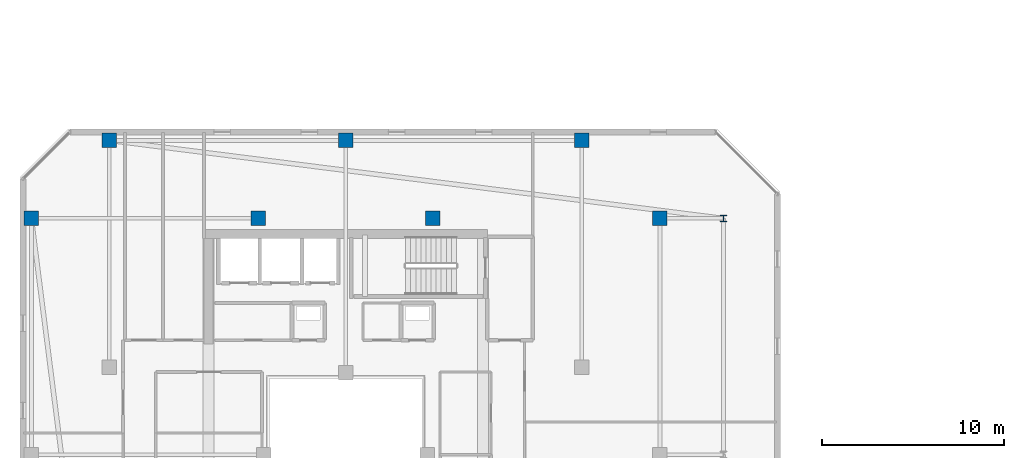
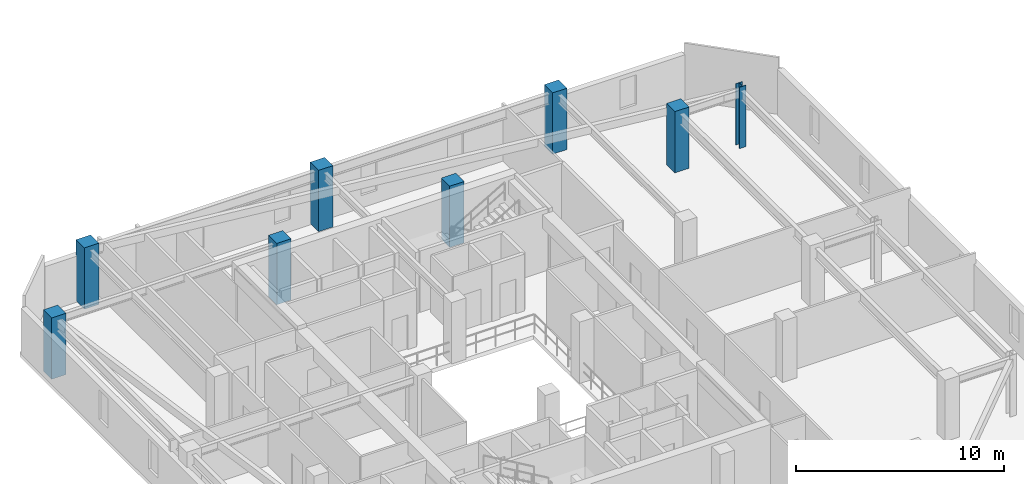
# One storey, part 3 of 35: 8 columns.
"""IFC4 building model written with IfcOpenShell, lengths in metres."""

from ifc_helpers import new_model, si_unit, direction, frame, origin, origin_2d, place, context, subcontext, project, spatial, rectangle, i_section, extrude, material, material_profile, profile_set, type_object, element, save


model = new_model("IFC4")

# Units and contexts
model_context = context("Model", 3, precision=1e-05, world=origin(), true_north=direction((0.0, 1.0)))
body_context = subcontext(model_context, "Body", "Model", "MODEL_VIEW")
ifc_project = project(units=[si_unit("LENGTHUNIT", "METRE"), si_unit("AREAUNIT", "SQUARE_METRE"), si_unit("VOLUMEUNIT", "CUBIC_METRE"), si_unit("PLANEANGLEUNIT", "RADIAN"), si_unit("MASSUNIT", "GRAM", prefix="KILO")], contexts=[model_context])

# Site, building, storey
site_placement = place(None, origin())
site = spatial("IfcSite", under=ifc_project, at=site_placement, CompositionType="ELEMENT")
building_placement = place(site_placement, origin())
building = spatial("IfcBuilding", under=site, at=building_placement, Name="Thornwick Lancets Civic Towers", CompositionType="ELEMENT")
storey_placement = place(building_placement, frame((0.0, 0.0, 265.5)))
storey = spatial("IfcBuildingStorey", under=building, at=storey_placement, Name="L71", CompositionType="ELEMENT", Elevation=265.5)

# Columns
ifc_material_1 = material(Name="Concrete C50/60", Category="concrete")
ifc_material_profile_1 = material_profile(ifc_material_1, rectangle(XDim=0.800048828125, YDim=0.800048828125, at=origin_2d()), Name="RC 800x800")
ifc_profile_set_1 = profile_set([ifc_material_profile_1], Name="Concrete C50/60")
column_type_1 = type_object("IfcColumnType", Name="COL_RC_800", PredefinedType="COLUMN", material=ifc_profile_set_1)
for number, where, z_axis, x_axis, name in (
    (1, (42.800048828125, 40.0, 0.0), (0.0, 0.0, 1.0), (1.0, 0.0, 0.0), "L71 Spine Mega-Column A06"),
    (2, (12.5, 44.300048828125, 0.0), (0.0, 0.0, 1.0), (1.0, 0.0, 0.0), "L71 Spine Mega-Column A07"),
    (3, (25.5, 44.300048828125, 0.0), (0.0, 0.0, 1.0), (1.0, 0.0, 0.0), "L71 Spine Mega-Column A08"),
    (4, (38.5, 44.300048828125, 0.0), (0.0, 0.0, 1.0), (1.0, 0.0, 0.0), "L71 Spine Mega-Column A09"),
    (5, (8.199951171875, 40.0, 0.0), (0.0, 0.0, 1.0), (1.0, 0.0, 0.0), "L71 Spine Mega-Column A12"),
    (6, (20.699951171875, 40.0, 0.0), (0.0, 0.0, 1.0), (1.0, 0.0, 0.0), "L71 Spine Mega-Column A19"),
    (7, (30.300048828125, 40.0, 0.0), (0.0, 0.0, 1.0), (1.0, 0.0, 0.0), "L71 Spine Mega-Column A20"),
):
    element("IfcColumn", number, at=place(storey_placement, frame(where, z_axis=z_axis, x_axis=x_axis)), inside=storey, type_object=column_type_1, Name=name, PredefinedType="COLUMN", context=body_context, shape_type="SweptSolid", body=[
        extrude(rectangle(XDim=0.800048828125, YDim=0.800048828125, at=origin_2d()), origin(), (0.0, 0.0, 1.0), 3.60009765625),
    ])
ifc_material_2 = material(Name="Steel S355JR", Category="steel")
ifc_material_profile_2 = material_profile(ifc_material_2, i_section(OverallWidth=0.374755859375, OverallDepth=0.37451171875, WebThickness=0.0166015625, FlangeThickness=0.027099609375, FilletRadius=0.01513671875, at=origin_2d()), Name="UKC 356x368x202")
ifc_profile_set_2 = profile_set([ifc_material_profile_2], Name="Steel S355JR")
column_type_2 = type_object("IfcColumnType", Name="COL_UKC_202", PredefinedType="COLUMN", material=ifc_profile_set_2)
column_placement = place(storey_placement, frame((46.300048828125, 40.0, 0.0), z_axis=(0.0, 0.0, 1.0), x_axis=(1.0, 0.0, 0.0)))
element("IfcColumn", 8, at=column_placement, inside=storey, type_object=column_type_2, Name="L71 Block Perimeter Column A06", PredefinedType="COLUMN", context=body_context, shape_type="SweptSolid", body=[
    extrude(i_section(OverallWidth=0.374755859375, OverallDepth=0.37451171875, WebThickness=0.0166015625, FlangeThickness=0.027099609375, FilletRadius=0.01513671875, at=origin_2d()), origin(), (0.0, 0.0, 1.0), 3.60009765625),
])

save(model, "model.ifc")
